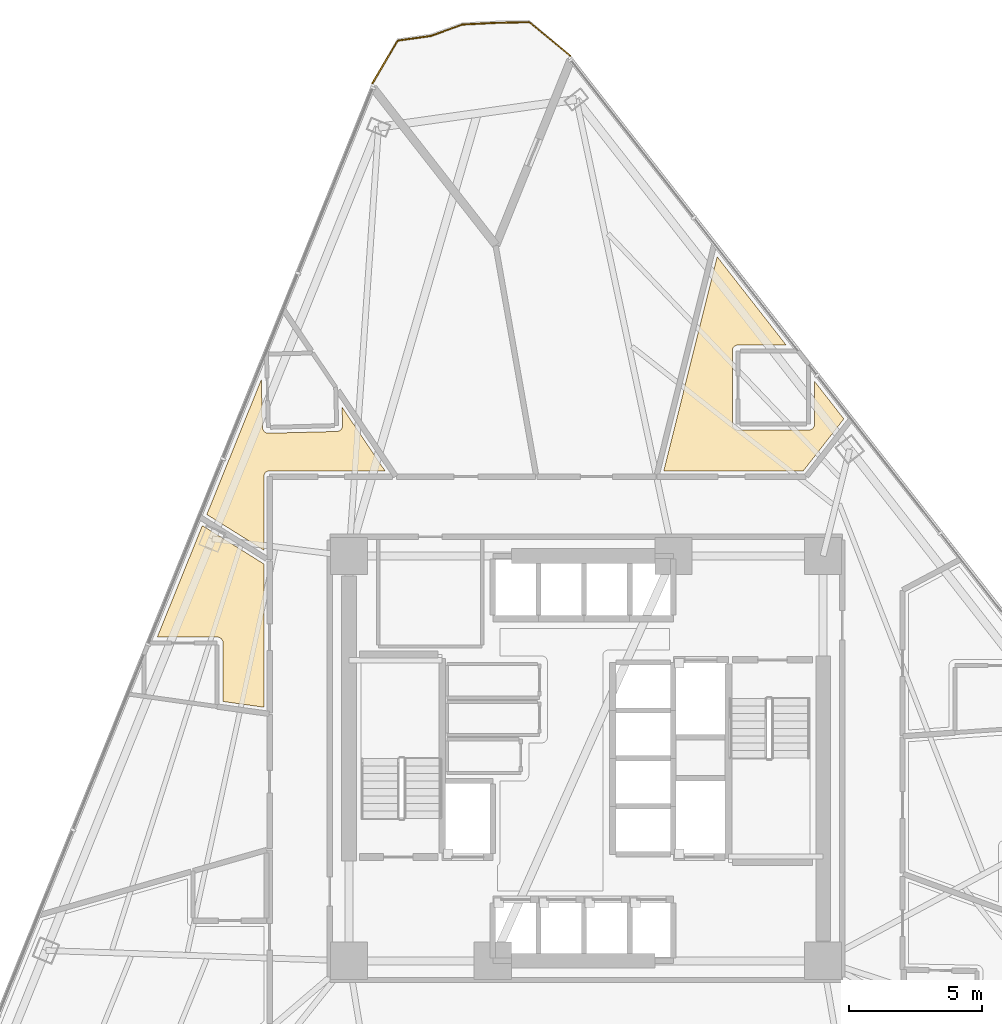
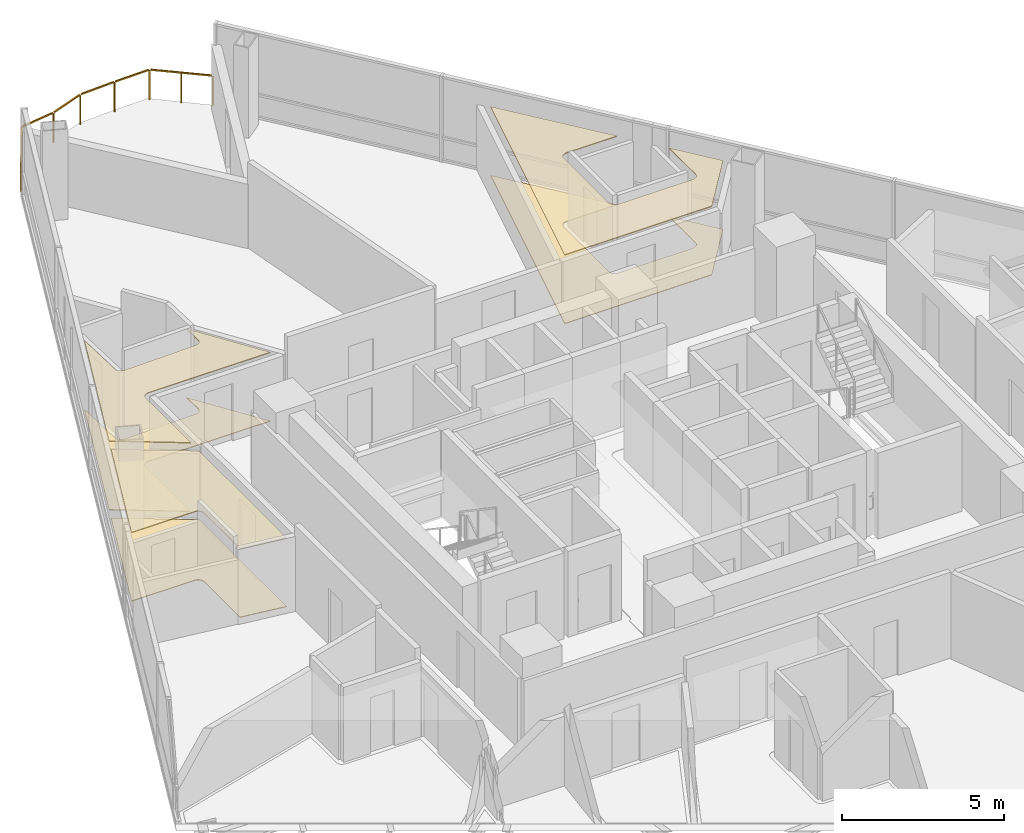
# One storey, part 15 of 15: 6 coverings, 1 railing.
"""IFC4 building model written with IfcOpenShell, lengths in metres."""

from ifc_helpers import new_model, si_unit, direction, frame, origin, origin_2d, place, context, subcontext, project, spatial, polyline, rectangle, outline, extrude, material, layer, layer_set, type_object, element, save


model = new_model("IFC4")

# Units and contexts
model_context = context("Model", 3, precision=1e-05, world=origin(), true_north=direction((0.0, 1.0)))
body_context = subcontext(model_context, "Body", "Model", "MODEL_VIEW")
ifc_project = project(units=[si_unit("LENGTHUNIT", "METRE"), si_unit("AREAUNIT", "SQUARE_METRE"), si_unit("VOLUMEUNIT", "CUBIC_METRE"), si_unit("PLANEANGLEUNIT", "RADIAN"), si_unit("MASSUNIT", "GRAM", prefix="KILO")], contexts=[model_context])

# Site, building, storey
site_placement = place(None, origin())
site = spatial("IfcSite", under=ifc_project, at=site_placement, CompositionType="ELEMENT")
building_placement = place(site_placement, origin())
building = spatial("IfcBuilding", under=site, at=building_placement, Name="Tharavind Bronze Gate", CompositionType="ELEMENT")
storey_placement = place(building_placement, frame((0.0, 0.0, 60.449951171875)))
storey = spatial("IfcBuildingStorey", under=building, at=storey_placement, Name="L14", CompositionType="ELEMENT", Elevation=60.449951171875)

# Coverings
ifc_material_1 = material(Name="Engineered Oak & Carpet Tile", Category="wood")
ifc_layer_1 = layer(ifc_material_1, 0.02490234375)
ifc_layer_set_1 = layer_set([ifc_layer_1], Name="Engineered Oak & Carpet Tile")
covering_type_1 = type_object("IfcCoveringType", Name="ENGINEERED TIMBER FLOORING", PredefinedType="FLOORING", material=ifc_layer_set_1)
covering_1_placement = place(storey_placement, origin())
element("IfcCovering", 1, at=covering_1_placement, inside=storey, type_object=covering_type_1, Name="L14-RM-02 floor finish", PredefinedType="FLOORING", context=body_context, shape_type="SweptSolid", body=[
    extrude(outline(polyline([(8.15869140625, 10.800048828125), (9.67919921875, 12.746337890625), (8.579833984375, 14.15380859375), (8.579833984375, 12.550048828125), (8.57861328125, 12.5283203125), (8.575439453125, 12.507080078125), (8.5703125, 12.486083984375), (8.56298828125, 12.4658203125), (8.5537109375, 12.4462890625), (8.542724609375, 12.427734375), (8.52978515625, 12.410400390625), (8.515380859375, 12.394287109375), (8.499267578125, 12.3798828125), (8.48193359375, 12.3671875), (8.46337890625, 12.35595703125), (8.44384765625, 12.3466796875), (8.423583984375, 12.339599609375), (8.402587890625, 12.334228515625), (8.38134765625, 12.3310546875), (8.35986328125, 12.330078125), (5.709716796875, 12.330078125), (5.688232421875, 12.3310546875), (5.666748046875, 12.334228515625), (5.64599609375, 12.339599609375), (5.62548828125, 12.3466796875), (5.60595703125, 12.35595703125), (5.58740234375, 12.3671875), (5.5703125, 12.3798828125), (5.55419921875, 12.394287109375), (5.539794921875, 12.410400390625), (5.52685546875, 12.427734375), (5.515625, 12.4462890625), (5.506591796875, 12.4658203125), (5.499267578125, 12.486083984375), (5.493896484375, 12.507080078125), (5.49072265625, 12.5283203125), (5.48974609375, 12.550048828125), (5.48974609375, 15.300048828125), (5.49072265625, 15.321533203125), (5.493896484375, 15.343017578125), (5.499267578125, 15.364013671875), (5.506591796875, 15.38427734375), (5.515625, 15.40380859375), (5.52685546875, 15.422119140625), (5.539794921875, 15.439697265625), (5.55419921875, 15.45556640625), (5.5703125, 15.47021484375), (5.58740234375, 15.48291015625), (5.60595703125, 15.493896484375), (5.62548828125, 15.50341796875), (5.64599609375, 15.510498046875), (5.666748046875, 15.515869140625), (5.688232421875, 15.518798828125), (5.709716796875, 15.52001953125), (7.51220703125, 15.52001953125), (4.922607421875, 18.83447265625), (2.91943359375, 10.800048828125), (8.15869140625, 10.800048828125)])), origin(), (0.0, 0.0, 1.0), 0.025146484375),
])
covering_2_placement = place(storey_placement, origin())
element("IfcCovering", 2, at=covering_2_placement, inside=storey, type_object=covering_type_1, Name="L14-RM-05 floor finish", PredefinedType="FLOORING", context=body_context, shape_type="SweptSolid", body=[
    extrude(outline(polyline([(-12.10009765625, 7.8203125), (-12.10009765625, 10.579345703125), (-12.099609375, 10.590087890625), (-12.099609375, 10.5908203125), (-12.09765625, 10.6123046875), (-12.093505859375, 10.63330078125), (-12.087158203125, 10.654052734375), (-12.078857421875, 10.674072265625), (-12.068603515625, 10.693115234375), (-12.056640625, 10.7109375), (-12.04296875, 10.727783203125), (-12.027587890625, 10.742919921875), (-12.010986328125, 10.756591796875), (-11.9931640625, 10.768798828125), (-11.97412109375, 10.77880859375), (-11.9541015625, 10.787109375), (-11.933349609375, 10.79345703125), (-11.912353515625, 10.797607421875), (-11.890869140625, 10.7998046875), (-11.89013671875, 10.7998046875), (-11.87939453125, 10.800048828125), (-7.550048828125, 10.800048828125), (-9.160888671875, 13.18798828125), (-9.14306640625, 12.5009765625), (-9.143798828125, 12.4794921875), (-9.146240234375, 12.4580078125), (-9.15087890625, 12.43701171875), (-9.15771484375, 12.41650390625), (-9.16650390625, 12.396728515625), (-9.177001953125, 12.3779296875), (-9.189453125, 12.360107421875), (-9.20361328125, 12.343994140625), (-9.21923828125, 12.3291015625), (-9.236083984375, 12.315673828125), (-9.25439453125, 12.30419921875), (-9.273681640625, 12.29443359375), (-9.293701171875, 12.28662109375), (-9.314697265625, 12.28076171875), (-9.3359375, 12.277099609375), (-9.357421875, 12.275390625), (-11.921875, 12.20947265625), (-11.943603515625, 12.2099609375), (-11.96484375, 12.212646484375), (-11.986083984375, 12.21728515625), (-12.006591796875, 12.22412109375), (-12.0263671875, 12.232666015625), (-12.045166015625, 12.243408203125), (-12.062744140625, 12.255859375), (-12.0791015625, 12.269775390625), (-12.093994140625, 12.285400390625), (-12.107421875, 12.302490234375), (-12.118896484375, 12.32080078125), (-12.128662109375, 12.340087890625), (-12.136474609375, 12.360107421875), (-12.14208984375, 12.380859375), (-12.14599609375, 12.402099609375), (-12.1474609375, 12.423583984375), (-12.193603515625, 14.2177734375), (-14.238525390625, 9.156494140625), (-12.10009765625, 7.8203125)])), origin(), (0.0, 0.0, 1.0), 0.025146484375),
])
covering_3_placement = place(storey_placement, origin())
element("IfcCovering", 3, at=covering_3_placement, inside=storey, type_object=covering_type_1, Name="L14-RM-06 floor finish", PredefinedType="FLOORING", context=body_context, shape_type="SweptSolid", body=[
    extrude(outline(polyline([(-16.09716796875, 4.556396484375), (-13.85009765625, 4.556396484375), (-13.828369140625, 4.555419921875), (-13.80712890625, 4.55224609375), (-13.7861328125, 4.547119140625), (-13.765869140625, 4.539794921875), (-13.746337890625, 4.530517578125), (-13.727783203125, 4.519287109375), (-13.71044921875, 4.506591796875), (-13.6943359375, 4.4921875), (-13.679931640625, 4.47607421875), (-13.6669921875, 4.458740234375), (-13.656005859375, 4.440185546875), (-13.646728515625, 4.420654296875), (-13.639404296875, 4.400390625), (-13.63427734375, 4.37939453125), (-13.631103515625, 4.358154296875), (-13.6298828125, 4.33642578125), (-13.6298828125, 2.1376953125), (-12.10009765625, 1.922607421875), (-12.10009765625, 7.301513671875), (-14.406005859375, 8.742431640625), (-16.09716796875, 4.556396484375)])), origin(), (0.0, 0.0, 1.0), 0.025146484375),
])
ifc_material_2 = material(Name="Acoustic Gypsum Board", Category="gypsum")
ifc_layer_2 = layer(ifc_material_2, 0.030029296875)
ifc_layer_set_2 = layer_set([ifc_layer_2], Name="Acoustic Gypsum Board")
covering_type_2 = type_object("IfcCoveringType", Name="GYPSUM SUSPENDED CEILING", PredefinedType="CEILING", material=ifc_layer_set_2)
covering_4_placement = place(storey_placement, frame((0.0, 0.0, 2.574951171875)))
element("IfcCovering", 4, at=covering_4_placement, inside=storey, type_object=covering_type_2, Name="L14-RM-02 suspended ceiling", PredefinedType="CEILING", context=body_context, shape_type="SweptSolid", body=[
    extrude(outline(polyline([(8.15869140625, 10.800048828125), (9.67919921875, 12.746337890625), (8.579833984375, 14.15380859375), (8.579833984375, 12.550048828125), (8.57861328125, 12.5283203125), (8.575439453125, 12.507080078125), (8.5703125, 12.486083984375), (8.56298828125, 12.4658203125), (8.5537109375, 12.4462890625), (8.542724609375, 12.427734375), (8.52978515625, 12.410400390625), (8.515380859375, 12.394287109375), (8.499267578125, 12.3798828125), (8.48193359375, 12.3671875), (8.46337890625, 12.35595703125), (8.44384765625, 12.3466796875), (8.423583984375, 12.339599609375), (8.402587890625, 12.334228515625), (8.38134765625, 12.3310546875), (8.35986328125, 12.330078125), (5.709716796875, 12.330078125), (5.688232421875, 12.3310546875), (5.666748046875, 12.334228515625), (5.64599609375, 12.339599609375), (5.62548828125, 12.3466796875), (5.60595703125, 12.35595703125), (5.58740234375, 12.3671875), (5.5703125, 12.3798828125), (5.55419921875, 12.394287109375), (5.539794921875, 12.410400390625), (5.52685546875, 12.427734375), (5.515625, 12.4462890625), (5.506591796875, 12.4658203125), (5.499267578125, 12.486083984375), (5.493896484375, 12.507080078125), (5.49072265625, 12.5283203125), (5.48974609375, 12.550048828125), (5.48974609375, 15.300048828125), (5.49072265625, 15.321533203125), (5.493896484375, 15.343017578125), (5.499267578125, 15.364013671875), (5.506591796875, 15.38427734375), (5.515625, 15.40380859375), (5.52685546875, 15.422119140625), (5.539794921875, 15.439697265625), (5.55419921875, 15.45556640625), (5.5703125, 15.47021484375), (5.58740234375, 15.48291015625), (5.60595703125, 15.493896484375), (5.62548828125, 15.50341796875), (5.64599609375, 15.510498046875), (5.666748046875, 15.515869140625), (5.688232421875, 15.518798828125), (5.709716796875, 15.52001953125), (7.51220703125, 15.52001953125), (4.922607421875, 18.83447265625), (2.91943359375, 10.800048828125), (8.15869140625, 10.800048828125)])), origin(), (0.0, 0.0, 1.0), 0.03515625),
])
covering_5_placement = place(storey_placement, frame((0.0, 0.0, 2.574951171875)))
element("IfcCovering", 5, at=covering_5_placement, inside=storey, type_object=covering_type_2, Name="L14-RM-05 suspended ceiling", PredefinedType="CEILING", context=body_context, shape_type="SweptSolid", body=[
    extrude(outline(polyline([(-12.10009765625, 7.8203125), (-12.10009765625, 10.579345703125), (-12.099609375, 10.590087890625), (-12.099609375, 10.5908203125), (-12.09765625, 10.6123046875), (-12.093505859375, 10.63330078125), (-12.087158203125, 10.654052734375), (-12.078857421875, 10.674072265625), (-12.068603515625, 10.693115234375), (-12.056640625, 10.7109375), (-12.04296875, 10.727783203125), (-12.027587890625, 10.742919921875), (-12.010986328125, 10.756591796875), (-11.9931640625, 10.768798828125), (-11.97412109375, 10.77880859375), (-11.9541015625, 10.787109375), (-11.933349609375, 10.79345703125), (-11.912353515625, 10.797607421875), (-11.890869140625, 10.7998046875), (-11.89013671875, 10.7998046875), (-11.87939453125, 10.800048828125), (-7.550048828125, 10.800048828125), (-9.160888671875, 13.18798828125), (-9.14306640625, 12.5009765625), (-9.143798828125, 12.4794921875), (-9.146240234375, 12.4580078125), (-9.15087890625, 12.43701171875), (-9.15771484375, 12.41650390625), (-9.16650390625, 12.396728515625), (-9.177001953125, 12.3779296875), (-9.189453125, 12.360107421875), (-9.20361328125, 12.343994140625), (-9.21923828125, 12.3291015625), (-9.236083984375, 12.315673828125), (-9.25439453125, 12.30419921875), (-9.273681640625, 12.29443359375), (-9.293701171875, 12.28662109375), (-9.314697265625, 12.28076171875), (-9.3359375, 12.277099609375), (-9.357421875, 12.275390625), (-11.921875, 12.20947265625), (-11.943603515625, 12.2099609375), (-11.96484375, 12.212646484375), (-11.986083984375, 12.21728515625), (-12.006591796875, 12.22412109375), (-12.0263671875, 12.232666015625), (-12.045166015625, 12.243408203125), (-12.062744140625, 12.255859375), (-12.0791015625, 12.269775390625), (-12.093994140625, 12.285400390625), (-12.107421875, 12.302490234375), (-12.118896484375, 12.32080078125), (-12.128662109375, 12.340087890625), (-12.136474609375, 12.360107421875), (-12.14208984375, 12.380859375), (-12.14599609375, 12.402099609375), (-12.1474609375, 12.423583984375), (-12.193603515625, 14.2177734375), (-14.238525390625, 9.156494140625), (-12.10009765625, 7.8203125)])), origin(), (0.0, 0.0, 1.0), 0.03515625),
])
covering_6_placement = place(storey_placement, frame((0.0, 0.0, 2.574951171875)))
element("IfcCovering", 6, at=covering_6_placement, inside=storey, type_object=covering_type_2, Name="L14-RM-06 suspended ceiling", PredefinedType="CEILING", context=body_context, shape_type="SweptSolid", body=[
    extrude(outline(polyline([(-16.09716796875, 4.556396484375), (-13.85009765625, 4.556396484375), (-13.828369140625, 4.555419921875), (-13.80712890625, 4.55224609375), (-13.7861328125, 4.547119140625), (-13.765869140625, 4.539794921875), (-13.746337890625, 4.530517578125), (-13.727783203125, 4.519287109375), (-13.71044921875, 4.506591796875), (-13.6943359375, 4.4921875), (-13.679931640625, 4.47607421875), (-13.6669921875, 4.458740234375), (-13.656005859375, 4.440185546875), (-13.646728515625, 4.420654296875), (-13.639404296875, 4.400390625), (-13.63427734375, 4.37939453125), (-13.631103515625, 4.358154296875), (-13.6298828125, 4.33642578125), (-13.6298828125, 2.1376953125), (-12.10009765625, 1.922607421875), (-12.10009765625, 7.301513671875), (-14.406005859375, 8.742431640625), (-16.09716796875, 4.556396484375)])), origin(), (0.0, 0.0, 1.0), 0.03515625),
])

# Railing
ifc_material_3 = material(Name="Bronze Cap & Laminated Glass", Category="glass")
railing_type = type_object("IfcRailingType", Name="TERRACE GLASS GUARD RAILING 1150", PredefinedType="GUARDRAIL", material=ifc_material_3)
railing_placement = place(storey_placement, frame((-8.02294921875, 25.341552734375, 0.0)))
element("IfcRailing", 7, at=railing_placement, inside=storey, type_object=railing_type, Name="L14 tree balcony guard railing", PredefinedType="GUARDRAIL", context=body_context, shape_type="SweptSolid", body=[
    extrude(rectangle(XDim=0.048095703125, YDim=0.048095703125, at=origin_2d()), frame((0.01611328125, 0.027587890625, 1.1259765625), z_axis=(0.5072203259, 0.861816419543, 0.0), x_axis=(-0.861816419543, 0.5072203259, 0.0)), (0.0, 0.0, 1.0), 1.80126953125),
    extrude(rectangle(XDim=0.048095703125, YDim=0.048095703125, at=origin_2d()), frame((0.977783203125, 1.61181640625, 1.1259765625), z_axis=(0.99028265427, 0.139069280047, 0.0), x_axis=(-0.139069280047, 0.99028265427, 0.0)), (0.0, 0.0, 1.0), 1.18603515625),
    extrude(rectangle(XDim=0.048095703125, YDim=0.048095703125, at=origin_2d()), frame((2.2138671875, 1.7919921875, 1.1259765625), z_axis=(0.941126052549, 0.338055843337, 0.0), x_axis=(-0.338055843337, 0.941126052549, 0.0)), (0.0, 0.0, 1.0), 1.212890625),
    extrude(rectangle(XDim=0.048095703125, YDim=0.048095703125, at=origin_2d()), frame((3.41748046875, 2.214599609375, 1.1259765625), z_axis=(0.998749426413, 0.049995832214, 0.0), x_axis=(-0.049995832214, 0.998749426413, 0.0)), (0.0, 0.0, 1.0), 1.19091796875),
    extrude(rectangle(XDim=0.048095703125, YDim=0.048095703125, at=origin_2d()), frame((4.6708984375, 2.2763671875, 1.1259765625), z_axis=(0.999759833143, 0.021915200998, 0.0), x_axis=(-0.021915200998, 0.999759833143, 0.0)), (0.0, 0.0, 1.0), 1.19482421875),
    extrude(rectangle(XDim=0.048095703125, YDim=0.048095703125, at=origin_2d()), frame((5.922119140625, 2.282958984375, 1.1259765625), z_axis=(0.772015598117, -0.635603584212, 0.0), x_axis=(0.635603584212, 0.772015598117, 0.0)), (0.0, 0.0, 1.0), 1.917236328125),
    extrude(rectangle(XDim=0.0400390625, YDim=0.0400390625, at=origin_2d()), origin(), (0.0, 0.0, 1.0), 1.097900390625),
    extrude(rectangle(XDim=0.0400390625, YDim=0.0400390625, at=origin_2d()), frame((0.47314453125, 0.8037109375, 0.0)), (0.0, 0.0, 1.0), 1.097900390625),
    extrude(rectangle(XDim=0.0400390625, YDim=0.0400390625, at=origin_2d()), frame((0.946044921875, 1.607421875, 0.0)), (0.0, 0.0, 1.0), 1.097900390625),
    extrude(rectangle(XDim=0.0400390625, YDim=0.0400390625, at=origin_2d()), frame((2.183837890625, 1.78125, 0.0)), (0.0, 0.0, 1.0), 1.097900390625),
    extrude(rectangle(XDim=0.0400390625, YDim=0.0400390625, at=origin_2d()), frame((3.385498046875, 2.212890625, 0.0)), (0.0, 0.0, 1.0), 1.097900390625),
    extrude(rectangle(XDim=0.0400390625, YDim=0.0400390625, at=origin_2d()), frame((4.638916015625, 2.275634765625, 0.0)), (0.0, 0.0, 1.0), 1.097900390625),
    extrude(rectangle(XDim=0.0400390625, YDim=0.0400390625, at=origin_2d()), frame((5.8974609375, 2.30322265625, 0.0)), (0.0, 0.0, 1.0), 1.097900390625),
    extrude(rectangle(XDim=0.0400390625, YDim=0.0400390625, at=origin_2d()), frame((6.662109375, 1.673583984375, 0.0)), (0.0, 0.0, 1.0), 1.097900390625),
    extrude(rectangle(XDim=0.0400390625, YDim=0.0400390625, at=origin_2d()), frame((7.427001953125, 1.0439453125, 0.0)), (0.0, 0.0, 1.0), 1.097900390625),
])

save(model, "model.ifc")
